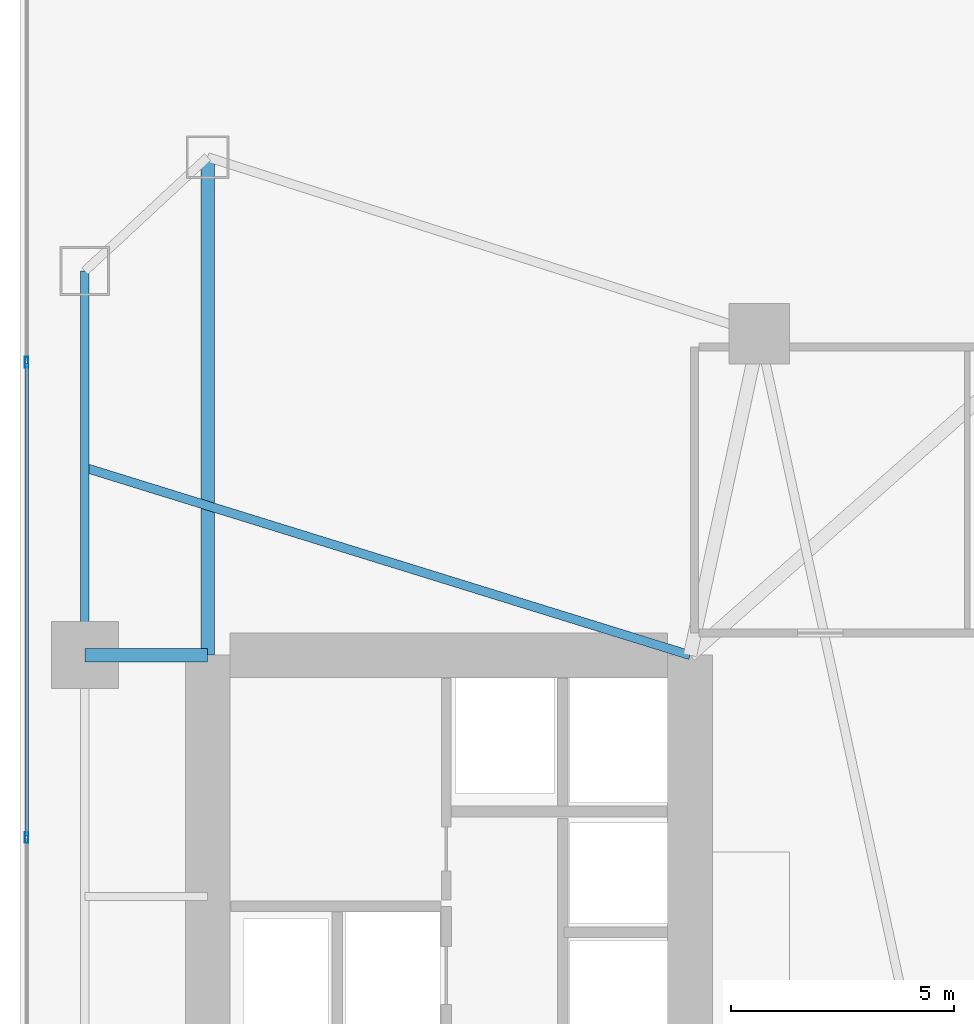
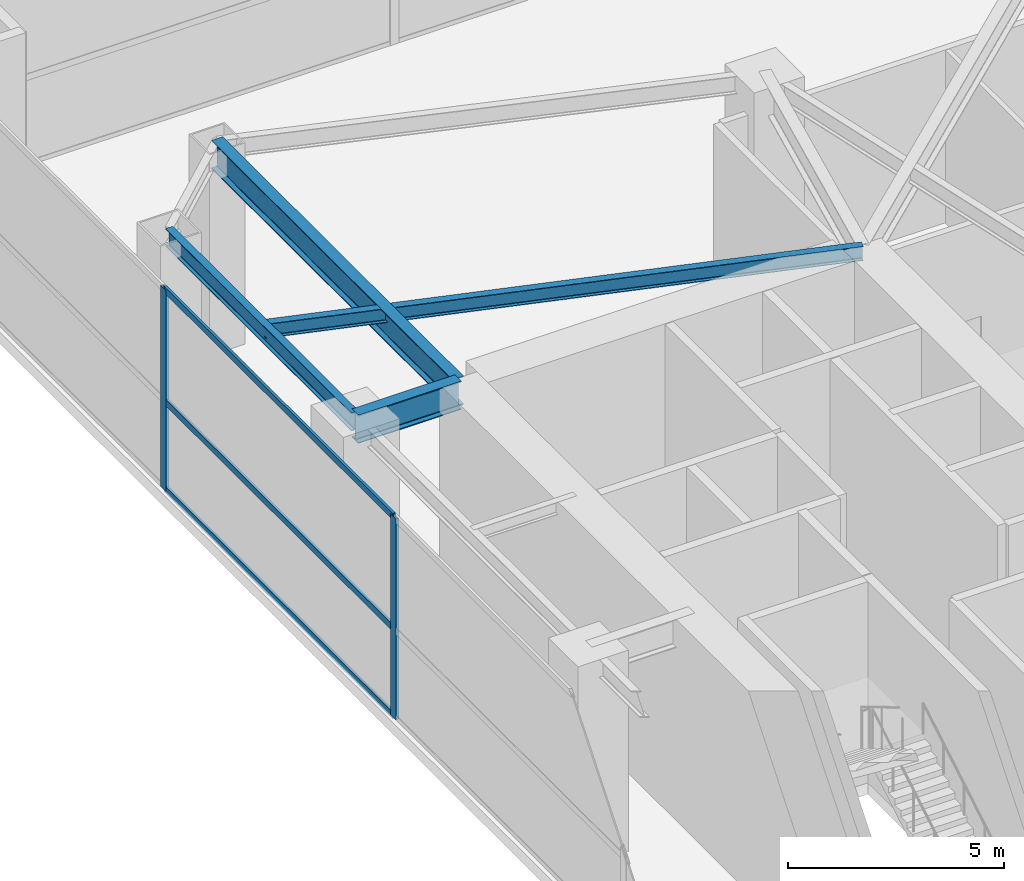
# One storey, part 14 of 35: 5 members, 4 beams, 1 element without a shape of its own.
"""IFC4 building model written with IfcOpenShell, lengths in metres."""

from ifc_helpers import new_model, si_unit, direction, frame, origin, origin_2d, place, context, subcontext, project, spatial, hollow_rectangle, i_section, extrude, material, layer, layer_set, material_profile, profile_set, type_object, element, aggregate, save


model = new_model("IFC4")

# Units and contexts
model_context = context("Model", 3, precision=1e-05, world=origin(), true_north=direction((0.0, 1.0)))
body_context = subcontext(model_context, "Body", "Model", "MODEL_VIEW")
ifc_project = project(units=[si_unit("LENGTHUNIT", "METRE"), si_unit("AREAUNIT", "SQUARE_METRE"), si_unit("VOLUMEUNIT", "CUBIC_METRE"), si_unit("PLANEANGLEUNIT", "RADIAN"), si_unit("MASSUNIT", "GRAM", prefix="KILO")], contexts=[model_context])

# Site, building, storey
site_placement = place(None, origin())
site = spatial("IfcSite", under=ifc_project, at=site_placement, CompositionType="ELEMENT")
building_placement = place(site_placement, origin())
building = spatial("IfcBuilding", under=site, at=building_placement, Name="Calvorn Quay Hotel", CompositionType="ELEMENT")
storey_placement = place(building_placement, frame((0.0, 0.0, 6.0)))
storey = spatial("IfcBuildingStorey", under=building, at=storey_placement, Name="L01", CompositionType="ELEMENT", Elevation=6.0)

# Beams
ifc_material_1 = material(Name="Steel Q390GJC", Category="steel")
ifc_material_profile_1 = material_profile(ifc_material_1, i_section(OverallWidth=0.300048828125, OverallDepth=0.800048828125, WebThickness=0.013916015625, FlangeThickness=0.02587890625, FilletRadius=0.02392578125, at=origin_2d()), Name="HN800x300x14x26")
ifc_profile_set_1 = profile_set([ifc_material_profile_1], Name="Steel Q390GJC")
beam_type_1 = type_object("IfcBeamType", Name="BM-GIRD-POD", PredefinedType="BEAM", material=ifc_profile_set_1)
beam_1_placement = place(storey_placement, frame((1.449951171875, 38.39990234375, 5.280029296875), z_axis=(1.0, 0.0, 0.0), x_axis=(0.0, 1.0, 0.0)))
element("IfcBeam", 1, at=beam_1_placement, inside=storey, type_object=beam_type_1, Name="Beam BG-L01-W3", PredefinedType="BEAM", context=body_context, shape_type="SweptSolid", body=[
    extrude(i_section(OverallWidth=0.300048828125, OverallDepth=0.800048828125, WebThickness=0.013916015625, FlangeThickness=0.02587890625, FilletRadius=0.02392578125, at=origin_2d()), origin(), (0.0, 0.0, 1.0), 2.75),
])
beam_2_placement = place(storey_placement, frame((4.199951171875, 49.550048828125, 5.280029296875), z_axis=(0.0, -1.0, 0.0), x_axis=(1.0, 0.0, 0.0)))
element("IfcBeam", 2, at=beam_2_placement, inside=storey, type_object=beam_type_1, Name="Beam BG-L01-W5", PredefinedType="BEAM", context=body_context, shape_type="SweptSolid", body=[
    extrude(i_section(OverallWidth=0.300048828125, OverallDepth=0.800048828125, WebThickness=0.013916015625, FlangeThickness=0.02587890625, FilletRadius=0.02392578125, at=origin_2d()), origin(), (0.0, 0.0, 1.0), 11.150146484375),
])
ifc_material_2 = material(Name="Steel Q355B", Category="steel")
ifc_material_profile_2 = material_profile(ifc_material_2, i_section(OverallWidth=0.199951171875, OverallDepth=0.39990234375, WebThickness=0.008056640625, FlangeThickness=0.012939453125, FilletRadius=0.01611328125, at=origin_2d()), Name="HN400x200x8x13")
ifc_profile_set_2 = profile_set([ifc_material_profile_2], Name="Steel Q355B")
beam_type_2 = type_object("IfcBeamType", Name="BM-JOIST-TYP", PredefinedType="JOIST", material=ifc_profile_set_2)
beam_3_placement = place(storey_placement, frame((1.449951171875, 42.60009765625, 5.47998046875), z_axis=(0.955163702122, -0.296078202759, 0.0), x_axis=(0.296078202759, 0.955163702122, 0.0)))
element("IfcBeam", 3, at=beam_3_placement, inside=storey, type_object=beam_type_2, Name="Beam BJ-L01-W2", PredefinedType="JOIST", context=body_context, shape_type="SweptSolid", body=[
    extrude(i_section(OverallWidth=0.199951171875, OverallDepth=0.39990234375, WebThickness=0.008056640625, FlangeThickness=0.012939453125, FilletRadius=0.01611328125, at=origin_2d()), origin(), (0.0, 0.0, 1.0), 14.18603515625),
])
ifc_material_3 = material(Name="Steel Q355B", Category="steel")
ifc_material_profile_3 = material_profile(ifc_material_3, i_section(OverallWidth=0.199951171875, OverallDepth=0.5, WebThickness=0.010009765625, FlangeThickness=0.01611328125, FilletRadius=0.01611328125, at=origin_2d()), Name="HN500x200x10x16")
ifc_profile_set_3 = profile_set([ifc_material_profile_3], Name="Steel Q355B")
beam_type_3 = type_object("IfcBeamType", Name="BM-SPANDREL-Z1", PredefinedType="SPANDREL", material=ifc_profile_set_3)
beam_4_placement = place(storey_placement, frame((1.449951171875, 38.39990234375, 5.429931640625), z_axis=(0.0, 1.0, 0.0), x_axis=(-1.0, 0.0, 0.0)))
element("IfcBeam", 4, at=beam_4_placement, inside=storey, type_object=beam_type_3, Name="Beam BSP-L01-W4", PredefinedType="SPANDREL", context=body_context, shape_type="SweptSolid", body=[
    extrude(i_section(OverallWidth=0.199951171875, OverallDepth=0.5, WebThickness=0.010009765625, FlangeThickness=0.01611328125, FilletRadius=0.01611328125, at=origin_2d()), origin(), (0.0, 0.0, 1.0), 8.60009765625),
])

# Curtain wall, members
ifc_material_4 = material(Name="Pale Anodised Aluminium and Low-E Glass", Category="aluminium")
ifc_layer = layer(ifc_material_4, 0.219970703125)
ifc_layer_set = layer_set([ifc_layer], Name="CW-SYS-POD")
curtain_wall_type = type_object("IfcCurtainWallType", Name="CW-SYS-POD", PredefinedType="NOTDEFINED", material=ifc_layer_set)
curtain_wall_placement = place(storey_placement, origin())
curtain_wall = element("IfcCurtainWall", 5, at=curtain_wall_placement, inside=storey, type_object=curtain_wall_type, Name="Podium Curtain Wall L01-W1", PredefinedType="NOTDEFINED")
ifc_material_5 = material(Name="Pale Anodised Aluminium 6063-T6", Category="aluminium")
ifc_material_profile_4 = material_profile(ifc_material_5, hollow_rectangle(XDim=0.080078125, YDim=0.239990234375, WallThickness=0.0048828125, at=origin_2d()), Name="ALU-M240x80x5")
ifc_profile_set_4 = profile_set([ifc_material_profile_4], Name="Pale Anodised Aluminium 6063-T6")
member_type_1 = type_object("IfcMemberType", Name="CW-SYS-POD-MUL", PredefinedType="MULLION", material=ifc_profile_set_4)
member_1_placement = place(storey_placement, frame((0.14990234375, 34.320068359375, 0.0), z_axis=(0.0, 0.0, 1.0), x_axis=(-1.0, 0.0, 0.0)))
member_1 = element("IfcMember", 6, at=member_1_placement, type_object=member_type_1, Name="CW-L01-W1 mullion 4", PredefinedType="MULLION", context=body_context, shape_type="SweptSolid", body=[
    extrude(hollow_rectangle(XDim=0.080078125, YDim=0.239990234375, WallThickness=0.0048828125, at=origin_2d()), origin(), (0.0, 0.0, 1.0), 5.679931640625),
])
member_2_placement = place(storey_placement, frame((0.14990234375, 44.9599609375, 0.0), z_axis=(0.0, 0.0, 1.0), x_axis=(-1.0, 0.0, 0.0)))
member_2 = element("IfcMember", 7, at=member_2_placement, type_object=member_type_1, Name="CW-L01-W1 mullion 5", PredefinedType="MULLION", context=body_context, shape_type="SweptSolid", body=[
    extrude(hollow_rectangle(XDim=0.080078125, YDim=0.239990234375, WallThickness=0.0048828125, at=origin_2d()), origin(), (0.0, 0.0, 1.0), 5.679931640625),
])
ifc_material_6 = material(Name="Pale Anodised Aluminium 6063-T6", Category="aluminium")
ifc_material_profile_5 = material_profile(ifc_material_6, hollow_rectangle(XDim=0.070068359375, YDim=0.179931640625, WallThickness=0.00390625, at=origin_2d()), Name="ALU-T180x70x4")
ifc_profile_set_5 = profile_set([ifc_material_profile_5], Name="Pale Anodised Aluminium 6063-T6")
member_type_2 = type_object("IfcMemberType", Name="CW-SYS-POD-TRN", PredefinedType="USERDEFINED", material=ifc_profile_set_5)
member_3_placement = place(storey_placement, frame((0.14990234375, 34.35009765625, 0.030029296875), z_axis=(0.0, 1.0, 0.0), x_axis=(-1.0, 0.0, 0.0)))
member_3 = element("IfcMember", 8, at=member_3_placement, type_object=member_type_2, Name="CW-L01-W1 transom 4.1", ObjectType="TRANSOM", PredefinedType="USERDEFINED", context=body_context, shape_type="SweptSolid", body=[
    extrude(hollow_rectangle(XDim=0.070068359375, YDim=0.179931640625, WallThickness=0.00390625, at=origin_2d()), origin(), (0.0, 0.0, 1.0), 10.579833984375),
])
member_4_placement = place(storey_placement, frame((0.14990234375, 34.35009765625, 2.5), z_axis=(0.0, 1.0, 0.0), x_axis=(-1.0, 0.0, 0.0)))
member_4 = element("IfcMember", 9, at=member_4_placement, type_object=member_type_2, Name="CW-L01-W1 transom 4.2", ObjectType="TRANSOM", PredefinedType="USERDEFINED", context=body_context, shape_type="SweptSolid", body=[
    extrude(hollow_rectangle(XDim=0.070068359375, YDim=0.179931640625, WallThickness=0.00390625, at=origin_2d()), origin(), (0.0, 0.0, 1.0), 10.579833984375),
])
member_5_placement = place(storey_placement, frame((0.14990234375, 34.35009765625, 5.64990234375), z_axis=(0.0, 1.0, 0.0), x_axis=(-1.0, 0.0, 0.0)))
member_5 = element("IfcMember", 10, at=member_5_placement, type_object=member_type_2, Name="CW-L01-W1 transom 4.3", ObjectType="TRANSOM", PredefinedType="USERDEFINED", context=body_context, shape_type="SweptSolid", body=[
    extrude(hollow_rectangle(XDim=0.070068359375, YDim=0.179931640625, WallThickness=0.00390625, at=origin_2d()), origin(), (0.0, 0.0, 1.0), 10.579833984375),
])
aggregate(curtain_wall, [member_1, member_2, member_3, member_4, member_5])

save(model, "model.ifc")
